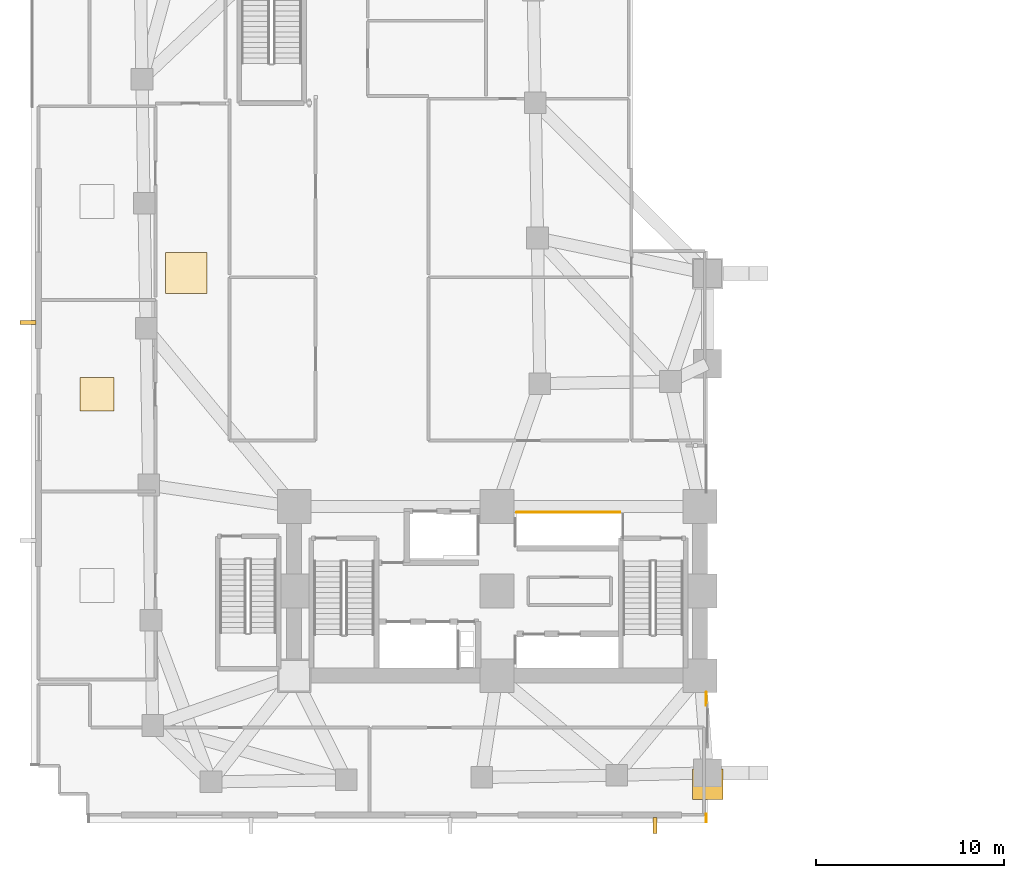
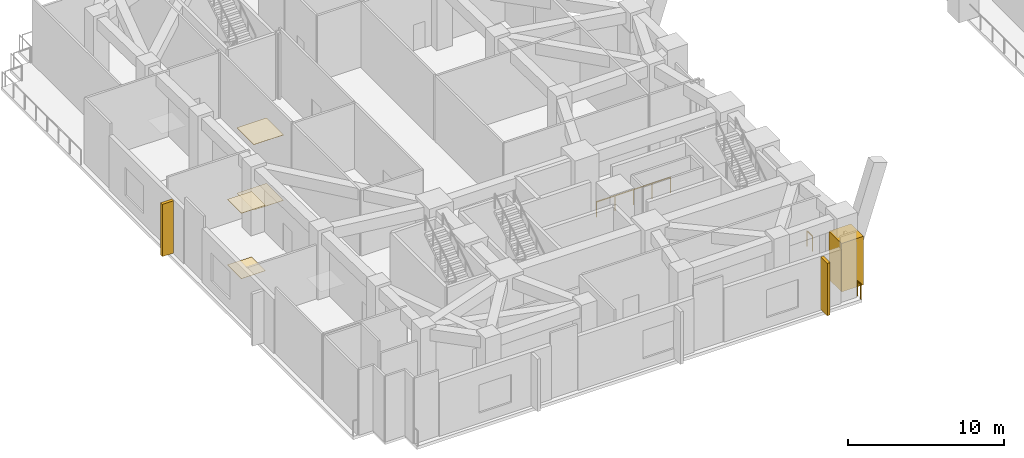
# One storey, part 14 of 18: 5 coverings, 3 railings, 2 shading devices.
"""IFC4 building model written with IfcOpenShell, lengths in metres."""

from ifc_helpers import new_model, si_unit, direction, frame, origin, origin_2d, place, context, subcontext, project, spatial, rectangle, circle, extrude, material, layer, layer_set, type_object, element, save


model = new_model("IFC4")

# Units and contexts
model_context = context("Model", 3, precision=1e-05, world=origin(), true_north=direction((0.0, 1.0)))
body_context = subcontext(model_context, "Body", "Model", "MODEL_VIEW")
ifc_project = project(units=[si_unit("LENGTHUNIT", "METRE"), si_unit("AREAUNIT", "SQUARE_METRE"), si_unit("VOLUMEUNIT", "CUBIC_METRE"), si_unit("PLANEANGLEUNIT", "RADIAN"), si_unit("MASSUNIT", "GRAM", prefix="KILO")], contexts=[model_context])

# Site, building, storey
site_placement = place(None, origin())
site = spatial("IfcSite", under=ifc_project, at=site_placement, CompositionType="ELEMENT")
building_placement = place(site_placement, origin())
building = spatial("IfcBuilding", under=site, at=building_placement, Name="Gaonmaruhae Medical Tower", CompositionType="ELEMENT")
storey_placement = place(building_placement, frame((0.0, 0.0, 5.39990234375)))
storey = spatial("IfcBuildingStorey", under=building, at=storey_placement, Name="L01", CompositionType="ELEMENT", Elevation=5.39990234375)

# Coverings
ifc_material_1 = material(Name="Architectural precast column cladding", Category="concrete")
ifc_layer_1 = layer(ifc_material_1, 0.06005859375)
ifc_layer_set_1 = layer_set([ifc_layer_1], Name="Architectural precast column cladding")
covering_type_1 = type_object("IfcCoveringType", Name="CLD-01 Architectural Precast Pier Cladding", PredefinedType="CLADDING", material=ifc_layer_set_1)
covering_1_placement = place(storey_placement, frame((36.0, 2.02001953125, 0.10009765625), z_axis=(0.0, 0.0, 1.0), x_axis=(1.0, 0.0, 0.0)))
element("IfcCovering", 1, at=covering_1_placement, inside=storey, type_object=covering_type_1, Name="L01 Architectural Precast Column Cladding 1", PredefinedType="CLADDING", context=body_context, shape_type="SweptSolid", body=[
    extrude(rectangle(XDim=1.6201171875, YDim=1.6201171875, at=origin_2d()), origin(), (0.0, 0.0, 1.0), 3.800048828125),
])
ifc_material_2 = material(Name="Acoustic mineral ceiling tile", Category="finish")
ifc_layer_2 = layer(ifc_material_2, 0.02490234375)
ifc_layer_set_2 = layer_set([ifc_layer_2], Name="Acoustic mineral ceiling tile")
covering_type_2 = type_object("IfcCoveringType", Name="CLG-01 Antimicrobial Acoustic Mineral Ceiling", PredefinedType="CEILING", material=ifc_layer_set_2)
covering_2_placement = place(storey_placement, frame((8.25, 29.22509765625, 5.125244140625), z_axis=(0.0, 0.0, 1.0), x_axis=(1.0, 0.0, 0.0)))
element("IfcCovering", 2, at=covering_2_placement, inside=storey, type_object=covering_type_2, Name="L01 Clinical Corridor Acoustic Ceiling", PredefinedType="CEILING", context=body_context, shape_type="SweptSolid", body=[
    extrude(rectangle(XDim=2.199951171875, YDim=2.199951171875, at=origin_2d()), origin(), (0.0, 0.0, 1.0), 0.02490234375),
])
covering_3_placement = place(storey_placement, frame((3.510009765625, 22.77490234375, 5.125244140625), z_axis=(0.0, 0.0, 1.0), x_axis=(1.0, 0.0, 0.0)))
element("IfcCovering", 3, at=covering_3_placement, inside=storey, type_object=covering_type_2, Name="L01 Clinical Room Acoustic Ceiling 3", PredefinedType="CEILING", context=body_context, shape_type="SweptSolid", body=[
    extrude(rectangle(XDim=1.800048828125, YDim=1.800048828125, at=origin_2d()), origin(), (0.0, 0.0, 1.0), 0.02490234375),
])
ifc_material_3 = material(Name="Seamless clinical vinyl flooring", Category="finish")
ifc_layer_3 = layer(ifc_material_3, 0.014892578125)
ifc_layer_set_3 = layer_set([ifc_layer_3], Name="Seamless clinical vinyl flooring")
covering_type_3 = type_object("IfcCoveringType", Name="FLR-01 Seamless Clinical Antistatic Vinyl Flooring", PredefinedType="FLOORING", material=ifc_layer_set_3)
covering_4_placement = place(storey_placement, frame((8.25, 29.22509765625, 0.00048828125), z_axis=(0.0, 0.0, 1.0), x_axis=(1.0, 0.0, 0.0)))
element("IfcCovering", 4, at=covering_4_placement, inside=storey, type_object=covering_type_3, Name="L01 Clinical Corridor Vinyl Flooring", PredefinedType="FLOORING", context=body_context, shape_type="SweptSolid", body=[
    extrude(rectangle(XDim=2.199951171875, YDim=2.199951171875, at=origin_2d()), origin(), (0.0, 0.0, 1.0), 0.014892578125),
])
covering_5_placement = place(storey_placement, frame((3.510009765625, 22.77490234375, 0.0), z_axis=(0.0, 0.0, 1.0), x_axis=(1.0, 0.0, 0.0)))
element("IfcCovering", 5, at=covering_5_placement, inside=storey, type_object=covering_type_3, Name="L01 Clinical Room Vinyl Flooring 3", PredefinedType="FLOORING", context=body_context, shape_type="SweptSolid", body=[
    extrude(rectangle(XDim=1.800048828125, YDim=1.800048828125, at=origin_2d()), origin(), (0.0, 0.0, 1.0), 0.014892578125),
])

# Railings
ifc_material_4 = material(Name="Stainless steel 316L and laminated safety glass", Category="steel")
ifc_layer_4 = layer(ifc_material_4, 0.080078125)
ifc_layer_set_4 = layer_set([ifc_layer_4], Name="Stainless steel 316L and laminated safety glass")
railing_type_1 = type_object("IfcRailingType", Name="GD-120 Outdoor Terrace Safety Glass & Steel Balustrade", PredefinedType="BALUSTRADE", material=ifc_layer_set_4)
railing_1_placement = place(storey_placement, frame((35.929931640625, 6.91552734375, 0.0)))
element("IfcRailing", 6, at=railing_1_placement, inside=storey, type_object=railing_type_1, Name="L01 Perimeter Slab Edge Safety Balustrade 14", PredefinedType="BALUSTRADE", context=body_context, shape_type="SweptSolid", body=[
    extrude(circle(Radius=0.02392578125, at=origin_2d()), frame((0.0, 0.0, 1.17578125), z_axis=(0.0, -1.0, 0.0), x_axis=(1.0, 0.0, 0.0)), (0.0, 0.0, 1.0), 0.69970703125),
    extrude(circle(Radius=0.02099609375, at=origin_2d()), origin(), (0.0, 0.0, 1.0), 1.15185546875),
    extrude(circle(Radius=0.02099609375, at=origin_2d()), frame((0.0, -0.69970703125, 0.0)), (0.0, 0.0, 1.0), 1.15185546875),
])
railing_2_placement = place(storey_placement, frame((35.929931640625, 0.439697265625, 0.0)))
element("IfcRailing", 7, at=railing_2_placement, inside=storey, type_object=railing_type_1, Name="L01 Perimeter Slab Edge Safety Balustrade 15", PredefinedType="BALUSTRADE", context=body_context, shape_type="SweptSolid", body=[
    extrude(circle(Radius=0.02392578125, at=origin_2d()), frame((0.0, 0.0, 1.17578125), z_axis=(0.0, -1.0, 0.0), x_axis=(1.0, 0.0, 0.0)), (0.0, 0.0, 1.0), 0.419677734375),
    extrude(circle(Radius=0.02099609375, at=origin_2d()), origin(), (0.0, 0.0, 1.0), 1.15185546875),
    extrude(circle(Radius=0.02099609375, at=origin_2d()), frame((0.0, -0.419677734375, 0.0)), (0.0, 0.0, 1.0), 1.15185546875),
])

# Shading devices
ifc_material_5 = material(Name="Pigmented coral precast concrete C45/55", Category="concrete")
shading_device_type = type_object("IfcShadingDeviceType", Name="SD-FIN2 Podium Vertical Coral Precast Shading Fin", PredefinedType="USERDEFINED", material=ifc_material_5)
for number, where, z_axis, x_axis, name in (
    (8, (33.199951171875, -0.1650390625, 0.06494140625), (0.0, 0.0, 1.0), (-1.0, 0.0, 0.0), "L01 Podium Coral Precast Shading Fin PB-S3"),
    (9, (-0.1650390625, 26.60009765625, 0.06494140625), (0.0, 0.0, 1.0), (0.0, 1.0, 0.0), "L01 Podium Coral Precast Shading Fin PB-W2"),
):
    element("IfcShadingDevice", number, at=place(storey_placement, frame(where, z_axis=z_axis, x_axis=x_axis)), inside=storey, type_object=shading_device_type, Name=name, ObjectType="FIN", PredefinedType="USERDEFINED", context=body_context, shape_type="SweptSolid", body=[
        extrude(rectangle(XDim=0.219970703125, YDim=0.85009765625, at=origin_2d()), origin(), (0.0, 0.0, 1.0), 4.10009765625),
    ])

# Railing
ifc_material_6 = material(Name="Stainless steel 304 balustrade", Category="steel")
railing_type_2 = type_object("IfcRailingType", Name="SG-112 Stair Well & Ramp Void Safety Balustrade", PredefinedType="BALUSTRADE", material=ifc_material_6)
railing_3_placement = place(storey_placement, frame((25.844970703125, 16.4951171875, 0.0)))
element("IfcRailing", 10, at=railing_3_placement, inside=storey, type_object=railing_type_2, Name="L01 Shaft Edge Safety Guard 21", PredefinedType="BALUSTRADE", context=body_context, shape_type="SweptSolid", body=[
    extrude(circle(Radius=0.02392578125, at=origin_2d()), frame((0.0, 0.0, 1.17578125), z_axis=(1.0, 0.0, 0.0), x_axis=(0.0, 1.0, 0.0)), (0.0, 0.0, 1.0), 5.485107421875),
    extrude(circle(Radius=0.02099609375, at=origin_2d()), origin(), (0.0, 0.0, 1.0), 1.15185546875),
    extrude(circle(Radius=0.02099609375, at=origin_2d()), frame((1.371337890625, 0.0, 0.0)), (0.0, 0.0, 1.0), 1.15185546875),
    extrude(circle(Radius=0.02099609375, at=origin_2d()), frame((2.74267578125, 0.0, 0.0)), (0.0, 0.0, 1.0), 1.15185546875),
    extrude(circle(Radius=0.02099609375, at=origin_2d()), frame((4.11376953125, 0.0, 0.0)), (0.0, 0.0, 1.0), 1.15185546875),
    extrude(circle(Radius=0.02099609375, at=origin_2d()), frame((5.485107421875, 0.0, 0.0)), (0.0, 0.0, 1.0), 1.15185546875),
])

save(model, "model.ifc")
